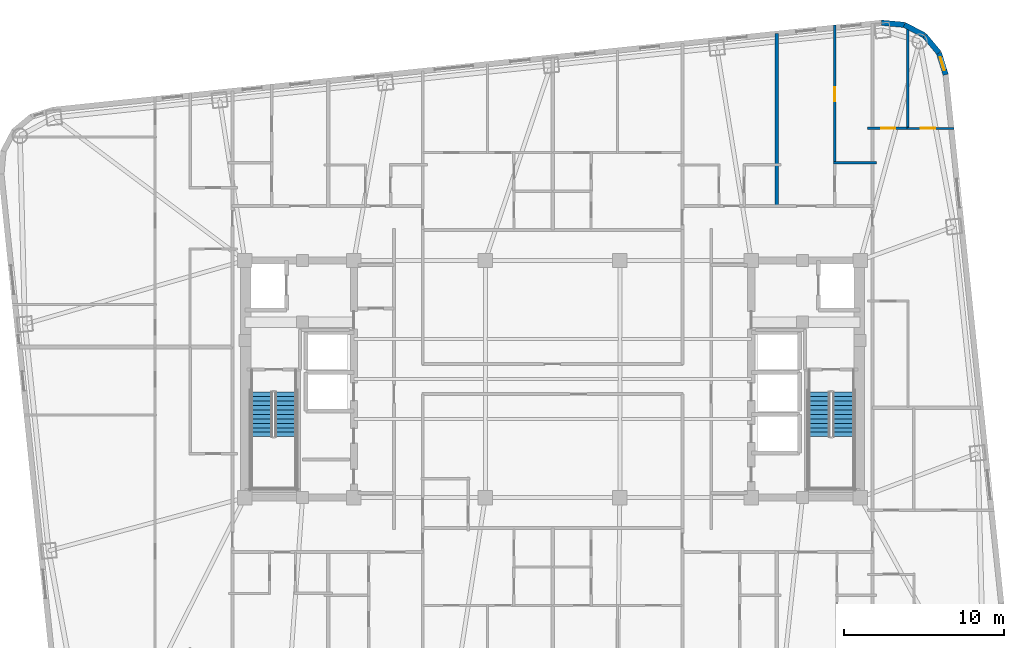
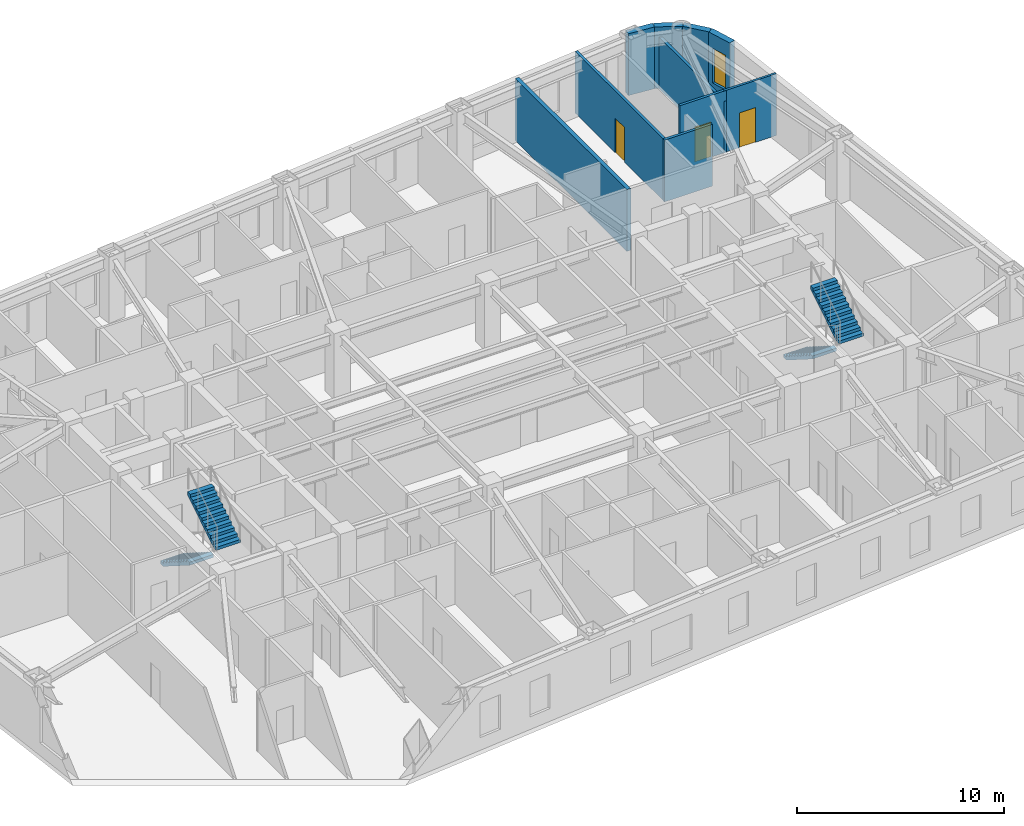
# One storey, part 9 of 11: 10 walls, 4 stair flights, 3 doors, 1 window, 4 openings, 2 elements without a shape of their own.
"""IFC4 building model written with IfcOpenShell, lengths in metres."""

import ifcopenshell
import ifcopenshell.guid

model = None  # the IFC model being written
_history = None  # IfcOwnerHistory: only IFC2X3 demands one
_inside = {}  # id of a spatial element -> (the spatial element, [elements in it])
_under = {}  # id of a project, library or spatial element -> (it, [spatial elements below it])
_declared = {}  # id of a project -> (the project, [libraries it declares])
_typed = {}  # id of a type object -> (the type object, [elements of that type])
_made_of = {}  # id of a material, layer set ... -> (it, [elements and type objects made of it])


def new_model(schema):
    """Start an empty IFC model of exactly this schema.

    Asked for "IFC4X3", IfcOpenShell would pick the latest addendum, in which some entities
    have other attributes; the version numbers below select the first issue.
    IFC2X3 requires an IfcOwnerHistory on every rooted entity: one is made here for all.
    """
    global model, _history
    if schema == "IFC4X3":
        model = ifcopenshell.file(schema_version=(4, 3, 0, 0))
    else:
        model = ifcopenshell.file(schema=schema)
    _inside.clear()
    _under.clear()
    _declared.clear()
    _typed.clear()
    _made_of.clear()
    _history = None
    if model.schema == "IFC2X3":
        org = make("IfcOrganization", Name="unknown")
        user = make(
            "IfcPersonAndOrganization",
            ThePerson=make("IfcPerson", FamilyName="unknown"),
            TheOrganization=org,
        )
        app = make(
            "IfcApplication",
            ApplicationDeveloper=org,
            Version="unknown",
            ApplicationFullName="unknown",
            ApplicationIdentifier="unknown",
        )
        _history = make(
            "IfcOwnerHistory",
            OwningUser=user,
            OwningApplication=app,
            ChangeAction="ADDED",
            CreationDate=0,
        )
    return model


def make(cls, **values):
    """One entity of the class cls with the attributes given. An attribute that is None is left unset."""
    return model.create_entity(
        cls, **{name: value for name, value in values.items() if value is not None}
    )


def rooted(cls, **values):
    """An entity with a GlobalId (a new one), such as an element, a storey or a relation."""
    return make(cls, GlobalId=ifcopenshell.guid.new(), OwnerHistory=_history, **values)


def si_unit(unit_type, name, prefix=None):
    """IfcSIUnit, for example si_unit("LENGTHUNIT", "METRE", prefix="MILLI")."""
    return make("IfcSIUnit", UnitType=unit_type, Prefix=prefix, Name=name)


def assignment(units):
    """IfcUnitAssignment: the units of a project."""
    return None if units is None else make("IfcUnitAssignment", Units=units)


def point(xyz):
    """IfcCartesianPoint."""
    return None if xyz is None else make("IfcCartesianPoint", Coordinates=xyz)


def direction(xyz):
    """IfcDirection."""
    return None if xyz is None else make("IfcDirection", DirectionRatios=xyz)


def frame(location, z_axis=None, x_axis=None):
    """IfcAxis2Placement3D, a coordinate frame: its origin and axes. An axis left out is left unset."""
    return make(
        "IfcAxis2Placement3D",
        Location=point(location),
        Axis=direction(z_axis),
        RefDirection=direction(x_axis),
    )


def frame_2d(location, x_axis=None):
    """IfcAxis2Placement2D, a coordinate frame in the plane: its origin and x axis."""
    return make(
        "IfcAxis2Placement2D", Location=point(location), RefDirection=direction(x_axis)
    )


def origin():
    """The frame at (0, 0, 0) with its axes left unset."""
    return frame((0.0, 0.0, 0.0))


def place(relative_to, where):
    """IfcLocalPlacement: puts the frame where relative to a parent placement (None: the world)."""
    return make(
        "IfcLocalPlacement", PlacementRelTo=relative_to, RelativePlacement=where
    )


def context(
    kind, dimensions, precision=None, world=None, true_north=None, identifier=None
):
    """IfcGeometricRepresentationContext, for example the 3D "Model" context."""
    return make(
        "IfcGeometricRepresentationContext",
        ContextIdentifier=identifier,
        ContextType=kind,
        CoordinateSpaceDimension=dimensions,
        Precision=precision,
        WorldCoordinateSystem=world,
        TrueNorth=true_north,
    )


def subcontext(parent, identifier, kind, view, scale=None):
    """IfcGeometricRepresentationSubContext, for example "Body" below "Model"."""
    return make(
        "IfcGeometricRepresentationSubContext",
        ContextIdentifier=identifier,
        ContextType=kind,
        ParentContext=parent,
        TargetScale=scale,
        TargetView=view,
    )


def project(units=None, contexts=None):
    """IfcProject with its units and contexts."""
    return rooted(
        "IfcProject",
        Name="project",
        RepresentationContexts=contexts,
        UnitsInContext=assignment(units),
    )


def spatial(cls, under=None, at=None, **own):
    """A site, building, storey or space (cls), placed at a placement, below another one or the project."""
    s = rooted(cls, ObjectPlacement=at, **own)
    if under is not None:
        _under.setdefault(under.id(), (under, []))[1].append(s)
    return s


def polyline(points):
    """IfcPolyline through the points."""
    return make("IfcPolyline", Points=[point(p) for p in points])


def profile(cls, at=None, kind="AREA", **sizes):
    """A parametric profile (cls). Its sizes go by their IFC names, for example OverallWidth=200.0."""
    return make(cls, ProfileType=kind, Position=at, **sizes)


def rectangle(**sizes):
    """IfcRectangleProfileDef."""
    return profile("IfcRectangleProfileDef", **sizes)


def outline(outer, holes=None, kind="AREA"):
    """IfcArbitraryClosedProfileDef: a profile drawn as a closed curve; with holes, ...WithVoids."""
    if holes is None:
        return make("IfcArbitraryClosedProfileDef", ProfileType=kind, OuterCurve=outer)
    return make(
        "IfcArbitraryProfileDefWithVoids",
        ProfileType=kind,
        OuterCurve=outer,
        InnerCurves=holes,
    )


def extrude(swept, where, along, depth):
    """IfcExtrudedAreaSolid: the profile swept, set in the frame where, extruded along a direction by depth."""
    return make(
        "IfcExtrudedAreaSolid",
        SweptArea=swept,
        Position=where,
        ExtrudedDirection=direction(along),
        Depth=depth,
    )


def shape(context_of_items, identifier, shape_type, items):
    """IfcShapeRepresentation: the items that make up one representation, for example the "Body"."""
    return make(
        "IfcShapeRepresentation",
        ContextOfItems=context_of_items,
        RepresentationIdentifier=identifier,
        RepresentationType=shape_type,
        Items=items,
    )


def material(Name=None, Category=None):
    """IfcMaterial."""
    return make("IfcMaterial", Name=Name, Category=Category)


def layer(
    of_material, thickness, ventilated=None, Name=None, Category=None, Priority=None
):
    """IfcMaterialLayer: one layer of a wall or slab, of a material (None: an air gap)."""
    return make(
        "IfcMaterialLayer",
        Material=of_material,
        LayerThickness=thickness,
        IsVentilated=ventilated,
        Name=Name,
        Category=Category,
        Priority=Priority,
    )


def layer_set(layers, Name=None):
    """IfcMaterialLayerSet."""
    return make("IfcMaterialLayerSet", MaterialLayers=layers, LayerSetName=Name)


def made_of(thing, what):
    """Note that an element or type object is made of a material, layer set ...; save() writes the relation."""
    if what is not None:
        _made_of.setdefault(what.id(), (what, []))[1].append(thing)
    return thing


def type_object(cls, material=None, **own):
    """A type object (cls), such as IfcWallType, which elements share."""
    return made_of(rooted(cls, **own), material)


def element(
    cls,
    number,
    at=None,
    inside=None,
    cuts=None,
    type_object=None,
    material=None,
    context=None,
    identifier="Body",
    shape_type=None,
    held_by="IfcProductDefinitionShape",
    body=None,
    shapes=None,
    **own,
):
    """One element of the class cls, such as IfcWall. Its Tag is "e" and its number.

    at: its placement. inside: the storey or other place that contains it. cuts: it is an
    opening in that element (IfcRelVoidsElement). A single representation is given by context,
    identifier, shape_type and body (its items); several are given by shapes. held_by: the class
    of the entity that holds the representations. save() writes the other relations.
    """
    e = rooted(cls, Tag="e%d" % number, ObjectPlacement=at, **own)
    if body is not None:
        shapes = [shape(context, identifier, shape_type, body)]
    if shapes is not None:
        e.Representation = make(held_by, Representations=shapes)
    if inside is not None:
        _inside.setdefault(inside.id(), (inside, []))[1].append(e)
    if cuts is not None:
        rooted(
            "IfcRelVoidsElement", RelatingBuildingElement=cuts, RelatedOpeningElement=e
        )
    if type_object is not None:
        _typed.setdefault(type_object.id(), (type_object, []))[1].append(e)
    return made_of(e, material)


def fill(opening, filler):
    """IfcRelFillsElement: the door or window that sits in an opening."""
    return rooted(
        "IfcRelFillsElement",
        RelatingOpeningElement=opening,
        RelatedBuildingElement=filler,
    )


def aggregate(whole, parts):
    """IfcRelAggregates: a whole, such as a stair, and the parts it consists of."""
    return rooted("IfcRelAggregates", RelatingObject=whole, RelatedObjects=parts)


def save(model, path):
    """Write the relations noted so far, then the file.

    IfcRelAggregates (storeys below a building ...), IfcRelContainedInSpatialStructure (elements
    in a storey), IfcRelDefinesByType, IfcRelAssociatesMaterial and IfcRelDeclares: one each for
    every whole, place, type object, material and project.
    """
    for whole, parts in _under.values():
        aggregate(whole, parts)
    for where, things in _inside.values():
        rooted(
            "IfcRelContainedInSpatialStructure",
            RelatedElements=things,
            RelatingStructure=where,
        )
    for kind, things in _typed.values():
        rooted("IfcRelDefinesByType", RelatedObjects=things, RelatingType=kind)
    for what, things in _made_of.values():
        rooted("IfcRelAssociatesMaterial", RelatedObjects=things, RelatingMaterial=what)
    for by, libraries in _declared.values():
        rooted("IfcRelDeclares", RelatingContext=by, RelatedDefinitions=libraries)
    model.write(path)


model = new_model("IFC4")

# Units and contexts
model_context = context("Model", 3, precision=1e-05, world=origin(), true_north=direction((0.0, 1.0)))
body_context = subcontext(model_context, "Body", "Model", "MODEL_VIEW")
ifc_project = project(units=[si_unit("LENGTHUNIT", "METRE"), si_unit("AREAUNIT", "SQUARE_METRE"), si_unit("VOLUMEUNIT", "CUBIC_METRE"), si_unit("PLANEANGLEUNIT", "RADIAN"), si_unit("MASSUNIT", "GRAM", prefix="KILO")], contexts=[model_context])

# Site, building, storey
site_placement = place(None, origin())
site = spatial("IfcSite", under=ifc_project, at=site_placement, CompositionType="ELEMENT")
building_placement = place(site_placement, origin())
building = spatial("IfcBuilding", under=site, at=building_placement, Name="Voryun Gate Residences", CompositionType="ELEMENT")
storey_placement = place(building_placement, frame((0.0, 0.0, 175.5)))
storey = spatial("IfcBuildingStorey", under=building, at=storey_placement, Name="L43", CompositionType="ELEMENT", Elevation=175.5)

# Walls
ifc_material_1 = material(Name="Charcoal terracotta masonry", Category="masonry")
ifc_layer_1 = layer(ifc_material_1, 0.340087890625, Name="W_EXT_TERRACOTTA_340")
ifc_layer_set_1 = layer_set([ifc_layer_1], Name="Charcoal terracotta masonry")
wall_type_1 = type_object("IfcWallType", Name="W_EXT_TERRACOTTA_340", PredefinedType="ELEMENTEDWALL", material=ifc_layer_set_1)
wall_1_placement = place(storey_placement, frame((20.5263671875, 22.235107421875, 0.0), z_axis=(0.0, 0.0, 1.0), x_axis=(0.995800460351, -0.091550222087, 0.0)))
element("IfcWall", 1, at=wall_1_placement, inside=storey, type_object=wall_type_1, Name="Exterior wall WEXT-L43-12", PredefinedType="ELEMENTEDWALL", context=body_context, shape_type="SweptSolid", body=[
    extrude(rectangle(XDim=1.43212890625, YDim=0.340087890625, at=frame_2d((0.716064453125, 0.0))), origin(), (0.0, 0.0, 1.0), 3.64990234375),
])
wall_2_placement = place(storey_placement, frame((21.952392578125, 22.10400390625, 0.0), z_axis=(0.0, 0.0, 1.0), x_axis=(0.885023004245, -0.465547292933, 0.0)))
element("IfcWall", 2, at=wall_2_placement, inside=storey, type_object=wall_type_1, Name="Exterior wall WEXT-L43-13", PredefinedType="ELEMENTEDWALL", context=body_context, shape_type="SweptSolid", body=[
    extrude(rectangle(XDim=1.414794921875, YDim=0.340087890625, at=frame_2d((0.70751953125, 0.0))), origin(), (0.0, 0.0, 1.0), 3.64990234375),
])
wall_3_placement = place(storey_placement, frame((23.20458984375, 21.4453125, 0.0), z_axis=(0.0, 0.0, 1.0), x_axis=(0.639539337522, -0.768758372808, 0.0)))
element("IfcWall", 3, at=wall_3_placement, inside=storey, type_object=wall_type_1, Name="Exterior wall WEXT-L43-14", PredefinedType="ELEMENTEDWALL", context=body_context, shape_type="SweptSolid", body=[
    extrude(rectangle(XDim=1.4150390625, YDim=0.340087890625, at=frame_2d((0.70751953125, 0.0))), origin(), (0.0, 0.0, 1.0), 3.64990234375),
])

# Wall, opening, window
wall_4_placement = place(storey_placement, frame((24.109619140625, 20.357421875, 0.0), z_axis=(0.0, 0.0, 1.0), x_axis=(0.296420660287, -0.955057481074, 0.0)))
wall_4 = element("IfcWall", 4, at=wall_4_placement, inside=storey, type_object=wall_type_1, Name="Exterior wall WEXT-L43-15", PredefinedType="ELEMENTEDWALL", context=body_context, shape_type="SweptSolid", body=[
    extrude(rectangle(XDim=1.432373046875, YDim=0.340087890625, at=frame_2d((0.71630859375, 0.0))), origin(), (0.0, 0.0, 1.0), 3.64990234375),
])
opening_1_placement = place(wall_4_placement, frame((0.291015625, 0.0, 0.75)))
opening_1 = element("IfcOpeningElement", 5, at=opening_1_placement, cuts=wall_4, Name="Opening WN9", PredefinedType="OPENING", context=body_context, shape_type="SweptSolid", body=[
    extrude(rectangle(XDim=0.85009765625, YDim=2.050048828125, at=frame_2d((0.425048828125, 1.02490234375))), frame((0.0, 0.179931640625, 0.0), z_axis=(0.0, -1.0, 0.0), x_axis=(1.0, 0.0, 0.0)), (0.0, 0.0, 1.0), 0.360107421875),
])
ifc_material_2 = material(Name="Laminated low-E glass", Category="glass")
window_type = type_object("IfcWindowType", Name="WN_RES_CASEMENT_850", PartitioningType="SINGLE_PANEL", PredefinedType="WINDOW", material=ifc_material_2)
window_placement = place(opening_1_placement, origin())
window = element("IfcWindow", 6, at=window_placement, inside=storey, type_object=window_type, Name="Window WN-L43-DWFIX-27", OverallHeight=2.050048828125, OverallWidth=0.85009765625, PartitioningType="SINGLE_PANEL", PredefinedType="WINDOW", context=body_context, shape_type="SweptSolid", body=[
    extrude(rectangle(XDim=0.85009765625, YDim=2.050048828125, at=frame_2d((0.425048828125, 1.02490234375))), frame((0.0, 0.030029296875, 0.0), z_axis=(0.0, -1.0, 0.0), x_axis=(1.0, 0.0, 0.0)), (0.0, 0.0, 1.0), 0.06005859375),
])
fill(opening_1, window)

# Wall
ifc_material_3 = material(Name="Concrete C40/50", Category="concrete")
ifc_layer_2 = layer(ifc_material_3, 0.219970703125, Name="W_PARTY_ACOUSTIC_220")
ifc_layer_set_2 = layer_set([ifc_layer_2], Name="Concrete C40/50")
wall_type_2 = type_object("IfcWallType", Name="W_PARTY_ACOUSTIC_220", PredefinedType="PARTITIONING", material=ifc_layer_set_2)
wall_5_placement = place(storey_placement, frame((13.989990234375, 10.719970703125, 0.0), z_axis=(0.0, 0.0, 1.0), x_axis=(0.0, 1.0, 0.0)))
element("IfcWall", 7, at=wall_5_placement, inside=storey, type_object=wall_type_2, Name="Partition wall WP-L43-NPTY-4", PredefinedType="PARTITIONING", context=body_context, shape_type="SweptSolid", body=[
    extrude(rectangle(XDim=10.828125, YDim=0.219970703125, at=frame_2d((5.4140625, 0.0))), origin(), (0.0, 0.0, 1.0), 3.64990234375),
])

# Wall, opening, door
ifc_material_4 = material(Name="Gypsum acoustic partition")
ifc_layer_3 = layer(ifc_material_4, 0.125, Name="W_UNIT_PART_125")
ifc_layer_set_3 = layer_set([ifc_layer_3], Name="Gypsum acoustic partition")
wall_type_3 = type_object("IfcWallType", Name="W_UNIT_PART_125", PredefinedType="PARTITIONING", material=ifc_layer_set_3)
wall_6_placement = place(storey_placement, frame((22.110107421875, 15.64208984375, 0.0), z_axis=(0.0, 0.0, 1.0), x_axis=(1.0, 0.0, 0.0)))
wall_6 = element("IfcWall", 8, at=wall_6_placement, inside=storey, type_object=wall_type_3, Name="Partition wall WP-L43-E2-OHZ", PredefinedType="PARTITIONING", context=body_context, shape_type="SweptSolid", body=[
    extrude(rectangle(XDim=2.9267578125, YDim=0.125, at=frame_2d((1.46337890625, 0.0))), origin(), (0.0, 0.0, 1.0), 3.64990234375),
])
opening_2_placement = place(wall_6_placement, frame((0.8671875, 0.0, 0.0)))
opening_2 = element("IfcOpeningElement", 9, at=opening_2_placement, cuts=wall_6, Name="Opening D-INT-2", PredefinedType="OPENING", context=body_context, shape_type="SweptSolid", body=[
    extrude(rectangle(XDim=0.89990234375, YDim=2.050048828125, at=frame_2d((0.449951171875, 1.02490234375))), frame((0.0, 0.072509765625, 0.0), z_axis=(0.0, -1.0, 0.0), x_axis=(1.0, 0.0, 0.0)), (0.0, 0.0, 1.0), 0.14501953125),
])
ifc_material_5 = material(Name="Architectural oak veneer")
door_type = type_object("IfcDoorType", Name="DR_INT_BATH_900", OperationType="NOTDEFINED", PredefinedType="DOOR", material=ifc_material_5)
door_1_placement = place(opening_2_placement, origin())
door_1 = element("IfcDoor", 10, at=door_1_placement, inside=storey, type_object=door_type, Name="Door DR-L43-E2-DMB", OperationType="SINGLE_SWING_LEFT", OverallHeight=2.050048828125, OverallWidth=0.89990234375, PredefinedType="DOOR", context=body_context, shape_type="SweptSolid", body=[
    extrude(rectangle(XDim=0.89990234375, YDim=2.050048828125, at=frame_2d((0.449951171875, 1.02490234375))), frame((0.0, 0.02490234375, 0.0), z_axis=(0.0, -1.0, 0.0), x_axis=(1.0, 0.0, 0.0)), (0.0, 0.0, 1.0), 0.050048828125),
])
fill(opening_2, door_1)

# Wall
ifc_material_6 = material(Name="Gypsum moisture-resistant partition")
ifc_layer_4 = layer(ifc_material_6, 0.14990234375, Name="W_WET_PLUMB_150")
ifc_layer_set_4 = layer_set([ifc_layer_4], Name="Gypsum moisture-resistant partition")
wall_type_4 = type_object("IfcWallType", Name="W_WET_PLUMB_150", PredefinedType="PLUMBINGWALL", material=ifc_layer_set_4)
wall_7_placement = place(storey_placement, frame((17.5390625, 13.5, 0.0), z_axis=(0.0, 0.0, 1.0), x_axis=(1.0, 0.0, 0.0)))
element("IfcWall", 11, at=wall_7_placement, inside=storey, type_object=wall_type_4, Name="Partition wall WP-L43-N5-SKB", PredefinedType="PLUMBINGWALL", context=body_context, shape_type="SweptSolid", body=[
    extrude(rectangle(XDim=2.680908203125, YDim=0.14990234375, at=frame_2d((1.34033203125, 0.0))), origin(), (0.0, 0.0, 1.0), 3.64990234375),
])

# Wall, opening, door
wall_8_placement = place(storey_placement, frame((17.618896484375, 13.4599609375, 0.0), z_axis=(0.0, 0.0, 1.0), x_axis=(0.0, 1.0, 0.0)))
wall_8 = element("IfcWall", 12, at=wall_8_placement, inside=storey, type_object=wall_type_4, Name="Partition wall WP-L43-N5-SVT2", PredefinedType="PLUMBINGWALL", context=body_context, shape_type="SweptSolid", body=[
    extrude(rectangle(XDim=8.620361328125, YDim=0.14990234375, at=frame_2d((4.31005859375, 0.0))), origin(), (0.0, 0.0, 1.0), 3.64990234375),
])
opening_3_placement = place(wall_8_placement, frame((3.860107421875, 0.0, 0.0)))
opening_3 = element("IfcOpeningElement", 13, at=opening_3_placement, cuts=wall_8, Name="Opening D-INT-2", PredefinedType="OPENING", context=body_context, shape_type="SweptSolid", body=[
    extrude(rectangle(XDim=0.89990234375, YDim=2.050048828125, at=frame_2d((0.449951171875, 1.02490234375))), frame((0.0, 0.0849609375, 0.0), z_axis=(0.0, -1.0, 0.0), x_axis=(1.0, 0.0, 0.0)), (0.0, 0.0, 1.0), 0.169921875),
])
door_2_placement = place(opening_3_placement, origin())
door_2 = element("IfcDoor", 14, at=door_2_placement, inside=storey, type_object=door_type, Name="Door DR-L43-N5-DK", OperationType="SINGLE_SWING_RIGHT", OverallHeight=2.050048828125, OverallWidth=0.89990234375, PredefinedType="DOOR", context=body_context, shape_type="SweptSolid", body=[
    extrude(rectangle(XDim=0.89990234375, YDim=2.050048828125, at=frame_2d((0.449951171875, 1.02490234375))), frame((0.0, 0.02490234375, 0.0), z_axis=(0.0, -1.0, 0.0), x_axis=(1.0, 0.0, 0.0)), (0.0, 0.0, 1.0), 0.050048828125),
])
fill(opening_3, door_2)

wall_9_placement = place(storey_placement, frame((19.64990234375, 15.64208984375, 0.0), z_axis=(0.0, 0.0, 1.0), x_axis=(1.0, 0.0, 0.0)))
wall_9 = element("IfcWall", 15, at=wall_9_placement, inside=storey, type_object=wall_type_4, Name="Partition wall WP-L43-E2-IBB", PredefinedType="PLUMBINGWALL", context=body_context, shape_type="SweptSolid", body=[
    extrude(rectangle(XDim=2.60009765625, YDim=0.14990234375, at=frame_2d((1.300048828125, 0.0))), origin(), (0.0, 0.0, 1.0), 3.64990234375),
])
opening_4_placement = place(wall_9_placement, frame((0.85009765625, 0.0, 0.0)))
opening_4 = element("IfcOpeningElement", 16, at=opening_4_placement, cuts=wall_9, Name="Opening D-INT-2", PredefinedType="OPENING", context=body_context, shape_type="SweptSolid", body=[
    extrude(rectangle(XDim=0.89990234375, YDim=2.050048828125, at=frame_2d((0.449951171875, 1.02490234375))), frame((0.0, 0.0849609375, 0.0), z_axis=(0.0, -1.0, 0.0), x_axis=(1.0, 0.0, 0.0)), (0.0, 0.0, 1.0), 0.169921875),
])
door_3_placement = place(opening_4_placement, origin())
door_3 = element("IfcDoor", 17, at=door_3_placement, inside=storey, type_object=door_type, Name="Door DR-L43-E2-DB", OperationType="SINGLE_SWING_RIGHT", OverallHeight=2.050048828125, OverallWidth=0.89990234375, PredefinedType="DOOR", context=body_context, shape_type="SweptSolid", body=[
    extrude(rectangle(XDim=0.89990234375, YDim=2.050048828125, at=frame_2d((0.449951171875, 1.02490234375))), frame((0.0, 0.02490234375, 0.0), z_axis=(0.0, -1.0, 0.0), x_axis=(1.0, 0.0, 0.0)), (0.0, 0.0, 1.0), 0.050048828125),
])
fill(opening_4, door_3)

# Wall
wall_10_placement = place(storey_placement, frame((22.169921875, 15.56201171875, 0.0), z_axis=(0.0, 0.0, 1.0), x_axis=(0.0, 1.0, 0.0)))
element("IfcWall", 18, at=wall_10_placement, inside=storey, type_object=wall_type_4, Name="Partition wall WP-L43-E2-VTB", PredefinedType="PLUMBINGWALL", context=body_context, shape_type="SweptSolid", body=[
    extrude(rectangle(XDim=6.59716796875, YDim=0.14990234375, at=frame_2d((3.298583984375, 0.0))), origin(), (0.0, 0.0, 1.0), 3.0400390625),
])

# Stair, stair flights
ifc_material_7 = material(Name="Concrete C40/50", Category="concrete")
stair_type = type_object("IfcStairType", Name="STR_CORE_DOGLEG_1350", PredefinedType="HALF_TURN_STAIR", material=ifc_material_7)
stair_1_placement = place(storey_placement, origin())
stair_1 = element("IfcStair", 19, at=stair_1_placement, inside=storey, type_object=stair_type, Name="L43 Special Escape Stair ST-W1", PredefinedType="HALF_TURN_STAIR")
ifc_material_8 = material(Name="Concrete C40/50", Category="concrete")
stair_flight_type = type_object("IfcStairFlightType", Name="FLT_CORE_1350", PredefinedType="STRAIGHT", material=ifc_material_8)
stair_flight_1_placement = place(storey_placement, frame((-18.14990234375, -0.800048828125, 0.0), z_axis=(0.0, 0.0, 1.0), x_axis=(0.0, -1.0, 0.0)))
stair_flight_1 = element("IfcStairFlight", 20, at=stair_flight_1_placement, type_object=stair_flight_type, Name="ST-W1 flight 1", NumberOfRisers=11, NumberOfTreads=10, PredefinedType="STRAIGHT", RiserHeight=0.177272727, TreadLength=0.28, context=body_context, shape_type="SweptSolid", body=[
    extrude(outline(polyline([(0.0, 0.0), (0.0, 0.17724609375), (0.280029296875, 0.17724609375), (0.280029296875, 0.3544921875), (0.56005859375, 0.3544921875), (0.56005859375, 0.53173828125), (0.840087890625, 0.53173828125), (0.840087890625, 0.708984375), (1.1201171875, 0.708984375), (1.1201171875, 0.886474609375), (1.39990234375, 0.886474609375), (1.39990234375, 1.063720703125), (1.679931640625, 1.063720703125), (1.679931640625, 1.240966796875), (1.9599609375, 1.240966796875), (1.9599609375, 1.418212890625), (2.239990234375, 1.418212890625), (2.239990234375, 1.595458984375), (2.52001953125, 1.595458984375), (2.52001953125, 1.772705078125), (2.800048828125, 1.772705078125), (2.800048828125, 1.949951171875), (2.800048828125, 1.59521484375), (0.2802734375, 0.0), (0.0, 0.0)])), frame((0.0, 0.675048828125, 0.0), z_axis=(0.0, -1.0, 0.0), x_axis=(1.0, 0.0, 0.0)), (0.0, 0.0, 1.0), 1.35009765625),
])
stair_flight_2_placement = place(storey_placement, frame((-16.64990234375, -3.60009765625, 1.949951171875), z_axis=(0.0, 0.0, 1.0), x_axis=(0.0, 1.0, 0.0)))
stair_flight_2 = element("IfcStairFlight", 21, at=stair_flight_2_placement, type_object=stair_flight_type, Name="ST-W1 flight 2", NumberOfRisers=11, NumberOfTreads=10, PredefinedType="STRAIGHT", RiserHeight=0.177272727, TreadLength=0.28, context=body_context, shape_type="SweptSolid", body=[
    extrude(outline(polyline([(0.0, 0.0), (0.0, 0.17724609375), (0.280029296875, 0.17724609375), (0.280029296875, 0.3544921875), (0.56005859375, 0.3544921875), (0.56005859375, 0.53173828125), (0.840087890625, 0.53173828125), (0.840087890625, 0.708984375), (1.1201171875, 0.708984375), (1.1201171875, 0.886474609375), (1.39990234375, 0.886474609375), (1.39990234375, 1.063720703125), (1.679931640625, 1.063720703125), (1.679931640625, 1.240966796875), (1.9599609375, 1.240966796875), (1.9599609375, 1.418212890625), (2.239990234375, 1.418212890625), (2.239990234375, 1.595458984375), (2.52001953125, 1.595458984375), (2.52001953125, 1.772705078125), (2.800048828125, 1.772705078125), (2.800048828125, 1.949951171875), (2.800048828125, 1.59521484375), (0.2802734375, 0.0), (0.0, 0.0)])), frame((0.0, 0.675048828125, 0.0), z_axis=(0.0, -1.0, 0.0), x_axis=(1.0, 0.0, 0.0)), (0.0, 0.0, 1.0), 1.35009765625),
])
aggregate(stair_1, [stair_flight_1, stair_flight_2])

stair_2_placement = place(storey_placement, origin())
stair_2 = element("IfcStair", 22, at=stair_2_placement, inside=storey, type_object=stair_type, Name="L43 Special Escape Stair ST-E1", PredefinedType="HALF_TURN_STAIR")
stair_flight_3_placement = place(storey_placement, frame((16.64990234375, -0.800048828125, 0.0), z_axis=(0.0, 0.0, 1.0), x_axis=(0.0, -1.0, 0.0)))
stair_flight_3 = element("IfcStairFlight", 23, at=stair_flight_3_placement, type_object=stair_flight_type, Name="ST-E1 flight 1", NumberOfRisers=11, NumberOfTreads=10, PredefinedType="STRAIGHT", RiserHeight=0.177272727, TreadLength=0.28, context=body_context, shape_type="SweptSolid", body=[
    extrude(outline(polyline([(0.0, 0.0), (0.0, 0.17724609375), (0.280029296875, 0.17724609375), (0.280029296875, 0.3544921875), (0.56005859375, 0.3544921875), (0.56005859375, 0.53173828125), (0.840087890625, 0.53173828125), (0.840087890625, 0.708984375), (1.1201171875, 0.708984375), (1.1201171875, 0.886474609375), (1.39990234375, 0.886474609375), (1.39990234375, 1.063720703125), (1.679931640625, 1.063720703125), (1.679931640625, 1.240966796875), (1.9599609375, 1.240966796875), (1.9599609375, 1.418212890625), (2.239990234375, 1.418212890625), (2.239990234375, 1.595458984375), (2.52001953125, 1.595458984375), (2.52001953125, 1.772705078125), (2.800048828125, 1.772705078125), (2.800048828125, 1.949951171875), (2.800048828125, 1.59521484375), (0.2802734375, 0.0), (0.0, 0.0)])), frame((0.0, 0.675048828125, 0.0), z_axis=(0.0, -1.0, 0.0), x_axis=(1.0, 0.0, 0.0)), (0.0, 0.0, 1.0), 1.35009765625),
])
stair_flight_4_placement = place(storey_placement, frame((18.14990234375, -3.60009765625, 1.949951171875), z_axis=(0.0, 0.0, 1.0), x_axis=(0.0, 1.0, 0.0)))
stair_flight_4 = element("IfcStairFlight", 24, at=stair_flight_4_placement, type_object=stair_flight_type, Name="ST-E1 flight 2", NumberOfRisers=11, NumberOfTreads=10, PredefinedType="STRAIGHT", RiserHeight=0.177272727, TreadLength=0.28, context=body_context, shape_type="SweptSolid", body=[
    extrude(outline(polyline([(0.0, 0.0), (0.0, 0.17724609375), (0.280029296875, 0.17724609375), (0.280029296875, 0.3544921875), (0.56005859375, 0.3544921875), (0.56005859375, 0.53173828125), (0.840087890625, 0.53173828125), (0.840087890625, 0.708984375), (1.1201171875, 0.708984375), (1.1201171875, 0.886474609375), (1.39990234375, 0.886474609375), (1.39990234375, 1.063720703125), (1.679931640625, 1.063720703125), (1.679931640625, 1.240966796875), (1.9599609375, 1.240966796875), (1.9599609375, 1.418212890625), (2.239990234375, 1.418212890625), (2.239990234375, 1.595458984375), (2.52001953125, 1.595458984375), (2.52001953125, 1.772705078125), (2.800048828125, 1.772705078125), (2.800048828125, 1.949951171875), (2.800048828125, 1.59521484375), (0.2802734375, 0.0), (0.0, 0.0)])), frame((0.0, 0.675048828125, 0.0), z_axis=(0.0, -1.0, 0.0), x_axis=(1.0, 0.0, 0.0)), (0.0, 0.0, 1.0), 1.35009765625),
])
aggregate(stair_2, [stair_flight_3, stair_flight_4])

save(model, "model.ifc")
